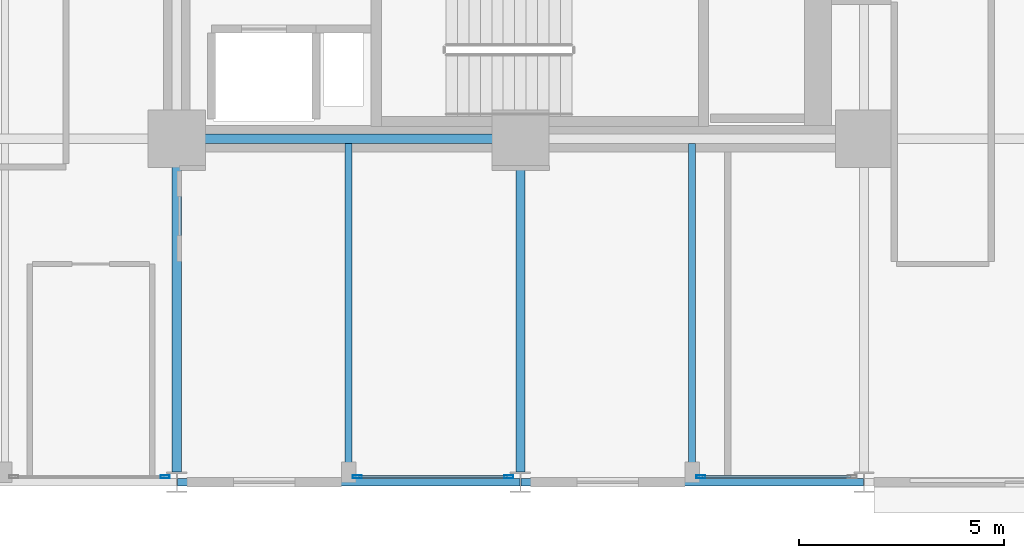
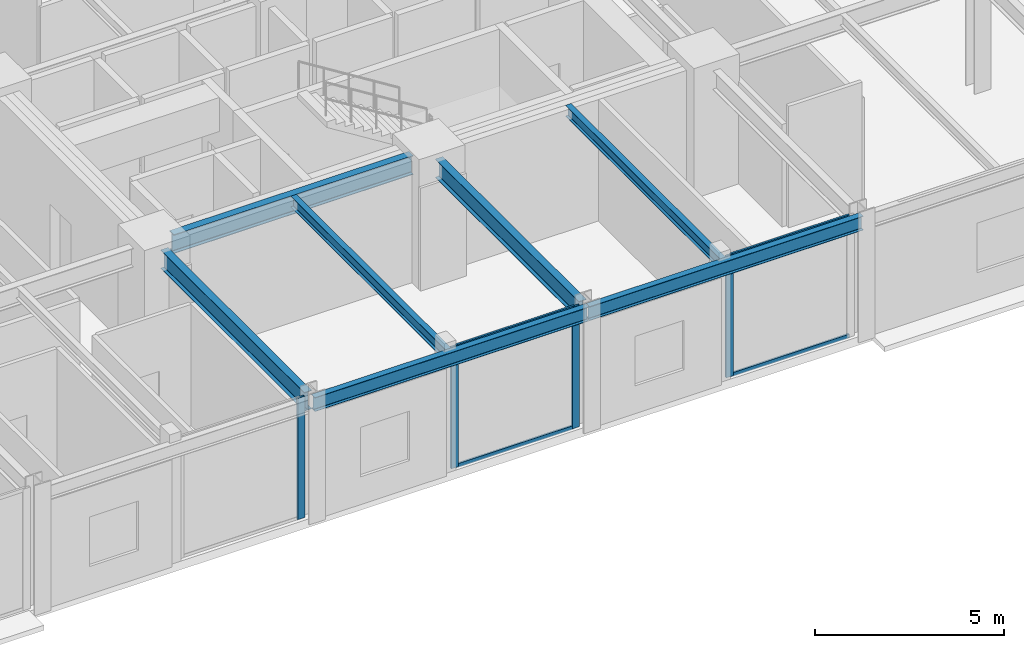
# One storey, part 4 of 25: 8 members, 7 beams, 3 elements without a shape of their own.
"""IFC4 building model written with IfcOpenShell, lengths in metres."""

from ifc_helpers import new_model, si_unit, direction, frame, origin, origin_2d, place, context, subcontext, project, spatial, hollow_rectangle, i_section, extrude, material, layer, layer_set, material_profile, profile_set, type_object, element, aggregate, save


model = new_model("IFC4")

# Units and contexts
model_context = context("Model", 3, precision=1e-05, world=origin(), true_north=direction((0.0, 1.0)))
body_context = subcontext(model_context, "Body", "Model", "MODEL_VIEW")
ifc_project = project(units=[si_unit("LENGTHUNIT", "METRE"), si_unit("AREAUNIT", "SQUARE_METRE"), si_unit("VOLUMEUNIT", "CUBIC_METRE"), si_unit("PLANEANGLEUNIT", "RADIAN"), si_unit("MASSUNIT", "GRAM", prefix="KILO")], contexts=[model_context])

# Site, building, storey
site_placement = place(None, origin())
site = spatial("IfcSite", under=ifc_project, at=site_placement, CompositionType="ELEMENT")
building_placement = place(site_placement, origin())
building = spatial("IfcBuilding", under=site, at=building_placement, Name="Nerrivon Quay Data Exchange", CompositionType="ELEMENT")
storey_placement = place(building_placement, frame((0.0, 0.0, 41.60009765625)))
storey = spatial("IfcBuildingStorey", under=building, at=storey_placement, Name="L09", CompositionType="ELEMENT", Elevation=41.60009765625)

# Beams
ifc_material_1 = material(Name="Steel Grade 350", Category="steel")
ifc_material_profile_1 = material_profile(ifc_material_1, i_section(OverallWidth=0.22900390625, OverallDepth=0.612060546875, WebThickness=0.011962890625, FlangeThickness=0.01953125, FilletRadius=0.013916015625, at=origin_2d()), Name="610UB125")
ifc_profile_set_1 = profile_set([ifc_material_profile_1], Name="Steel Grade 350")
beam_type_1 = type_object("IfcBeamType", Name="BM-G1-610UB125", PredefinedType="BEAM", material=ifc_profile_set_1)
beam_1_placement = place(storey_placement, frame((17.340087890625, 8.39990234375, 3.618896484375), z_axis=(1.0, 0.0, 0.0), x_axis=(0.0, 1.0, 0.0)))
element("IfcBeam", 1, at=beam_1_placement, inside=storey, type_object=beam_type_1, Name="L09 EW Girder Y=8.4 (16.8..25.2)", PredefinedType="BEAM", context=body_context, shape_type="SweptSolid", body=[
    extrude(i_section(OverallWidth=0.22900390625, OverallDepth=0.612060546875, WebThickness=0.011962890625, FlangeThickness=0.01953125, FilletRadius=0.013916015625, at=origin_2d()), origin(), (0.0, 0.0, 1.0), 7.31982421875),
])
ifc_material_profile_2 = material_profile(ifc_material_1, i_section(OverallWidth=0.22802734375, OverallDepth=0.60205078125, WebThickness=0.010498046875, FlangeThickness=0.014892578125, FilletRadius=0.013916015625, at=origin_2d()), Name="610UB101")
ifc_profile_set_2 = profile_set([ifc_material_profile_2], Name="Steel Grade 350")
beam_type_2 = type_object("IfcBeamType", Name="BM-G2-610UB101", PredefinedType="BEAM", material=ifc_profile_set_2)
for number, where, z_axis, x_axis, name in (
    (2, (16.800048828125, 0.25, 3.6240234375), (0.0, 1.0, 0.0), (-1.0, 0.0, 0.0), "L09 NS Girder X=16.8 (0.0..8.4)"),
    (3, (25.199951171875, 0.25, 3.6240234375), (0.0, 1.0, 0.0), (-1.0, 0.0, 0.0), "L09 NS Girder X=25.2 (0.0..8.4)"),
):
    element("IfcBeam", number, at=place(storey_placement, frame(where, z_axis=z_axis, x_axis=x_axis)), inside=storey, type_object=beam_type_2, Name=name, PredefinedType="BEAM", context=body_context, shape_type="SweptSolid", body=[
        extrude(i_section(OverallWidth=0.22802734375, OverallDepth=0.60205078125, WebThickness=0.010498046875, FlangeThickness=0.014892578125, FilletRadius=0.013916015625, at=origin_2d()), origin(), (0.0, 0.0, 1.0), 7.610107421875),
    ])
ifc_material_profile_3 = material_profile(ifc_material_1, i_section(OverallWidth=0.172119140625, OverallDepth=0.35888671875, WebThickness=0.008056640625, FlangeThickness=0.012939453125, FilletRadius=0.011474609375, at=origin_2d()), Name="360UB56.7")
ifc_profile_set_3 = profile_set([ifc_material_profile_3], Name="Steel Grade 350")
beam_type_3 = type_object("IfcBeamType", Name="BM-J3-360UB57", PredefinedType="JOIST", material=ifc_profile_set_3)
for number, where, z_axis, x_axis, name in (
    (4, (21.0, 0.094970703125, 3.745361328125), (0.0, 1.0, 0.0), (-1.0, 0.0, 0.0), "L09 Secondary Joist X=21.0 (0.0..8.4)"),
    (5, (29.39990234375, 0.094970703125, 3.745361328125), (0.0, 1.0, 0.0), (-1.0, 0.0, 0.0), "L09 Secondary Joist X=29.4 (0.0..8.4)"),
):
    element("IfcBeam", number, at=place(storey_placement, frame(where, z_axis=z_axis, x_axis=x_axis)), inside=storey, type_object=beam_type_3, Name=name, PredefinedType="JOIST", context=body_context, shape_type="SweptSolid", body=[
        extrude(i_section(OverallWidth=0.172119140625, OverallDepth=0.35888671875, WebThickness=0.008056640625, FlangeThickness=0.012939453125, FilletRadius=0.011474609375, at=origin_2d()), origin(), (0.0, 0.0, 1.0), 8.1904296875),
    ])
ifc_material_profile_4 = material_profile(ifc_material_1, i_section(OverallWidth=0.18994140625, OverallDepth=0.4541015625, WebThickness=0.008544921875, FlangeThickness=0.0126953125, FilletRadius=0.011474609375, at=origin_2d()), Name="460UB67.1")
ifc_profile_set_4 = profile_set([ifc_material_profile_4], Name="Steel Grade 350")
beam_type_4 = type_object("IfcBeamType", Name="BM-SP1-460UB67", PredefinedType="SPANDREL", material=ifc_profile_set_4)
beam_2_placement = place(storey_placement, frame((16.81396484375, 0.0, 3.697998046875), z_axis=(1.0, 0.0, 0.0), x_axis=(0.0, 1.0, 0.0)))
element("IfcBeam", 6, at=beam_2_placement, inside=storey, type_object=beam_type_4, Name="L09 EW Girder Y=0.0 (16.8..25.2)", PredefinedType="SPANDREL", context=body_context, shape_type="SweptSolid", body=[
    extrude(i_section(OverallWidth=0.18994140625, OverallDepth=0.4541015625, WebThickness=0.008544921875, FlangeThickness=0.0126953125, FilletRadius=0.011474609375, at=origin_2d()), origin(), (0.0, 0.0, 1.0), 8.3720703125),
])
beam_3_placement = place(storey_placement, frame((25.214111328125, 0.0, 3.697998046875), z_axis=(1.0, 0.0, 0.0), x_axis=(0.0, 1.0, 0.0)))
element("IfcBeam", 7, at=beam_3_placement, inside=storey, type_object=beam_type_4, Name="L09 EW Girder Y=0.0 (25.2..33.6)", PredefinedType="SPANDREL", context=body_context, shape_type="SweptSolid", body=[
    extrude(i_section(OverallWidth=0.18994140625, OverallDepth=0.4541015625, WebThickness=0.008544921875, FlangeThickness=0.0126953125, FilletRadius=0.011474609375, at=origin_2d()), origin(), (0.0, 0.0, 1.0), 8.371826171875),
])

# Curtain wall, member
ifc_material_2 = material(Name="Anodised aluminium 6063-T6", Category="aluminium")
ifc_layer = layer(ifc_material_2, 0.219970703125)
ifc_layer_set = layer_set([ifc_layer], Name="Anodised aluminium 6063-T6")
curtain_wall_type = type_object("IfcCurtainWallType", Name="CW-SYS-01", PredefinedType="NOTDEFINED", material=ifc_layer_set)
curtain_wall_1_placement = place(storey_placement, origin())
curtain_wall_1 = element("IfcCurtainWall", 8, at=curtain_wall_1_placement, inside=storey, type_object=curtain_wall_type, Name="L09 Unitised Curtain Wall 4", PredefinedType="NOTDEFINED")
ifc_material_profile_5 = material_profile(ifc_material_2, hollow_rectangle(XDim=0.074951171875, YDim=0.219970703125, WallThickness=0.00390625, at=origin_2d()), Name="ALU-MULL-220x75")
ifc_profile_set_5 = profile_set([ifc_material_profile_5], Name="Anodised aluminium 6063-T6")
member_type_1 = type_object("IfcMemberType", Name="CWM-220x75", PredefinedType="MULLION", material=ifc_profile_set_5)
member_1_placement = place(storey_placement, frame((29.612548828125, 0.139892578125, 0.0), z_axis=(0.0, 0.0, 1.0), x_axis=(0.0, -1.0, 0.0)))
member_1 = element("IfcMember", 9, at=member_1_placement, type_object=member_type_1, Name="CW01 mullion 2", PredefinedType="MULLION", context=body_context, shape_type="SweptSolid", body=[
    extrude(hollow_rectangle(XDim=0.074951171875, YDim=0.219970703125, WallThickness=0.00390625, at=origin_2d()), origin(), (0.0, 0.0, 1.0), 3.9248046875),
])

# Curtain wall, members
curtain_wall_2_placement = place(storey_placement, origin())
curtain_wall_2 = element("IfcCurtainWall", 10, at=curtain_wall_2_placement, inside=storey, type_object=curtain_wall_type, Name="L09 Unitised Curtain Wall 6", PredefinedType="NOTDEFINED")
member_2_placement = place(storey_placement, frame((24.91259765625, 0.139892578125, 0.0), z_axis=(0.0, 0.0, 1.0), x_axis=(0.0, -1.0, 0.0)))
member_2 = element("IfcMember", 11, at=member_2_placement, type_object=member_type_1, Name="CW01 mullion 1", PredefinedType="MULLION", context=body_context, shape_type="SweptSolid", body=[
    extrude(hollow_rectangle(XDim=0.074951171875, YDim=0.219970703125, WallThickness=0.00390625, at=origin_2d()), origin(), (0.0, 0.0, 1.0), 3.9248046875),
])
member_3_placement = place(storey_placement, frame((21.21240234375, 0.139892578125, 0.0), z_axis=(0.0, 0.0, 1.0), x_axis=(0.0, -1.0, 0.0)))
member_3 = element("IfcMember", 12, at=member_3_placement, type_object=member_type_1, Name="CW01 mullion 2", PredefinedType="MULLION", context=body_context, shape_type="SweptSolid", body=[
    extrude(hollow_rectangle(XDim=0.074951171875, YDim=0.219970703125, WallThickness=0.00390625, at=origin_2d()), origin(), (0.0, 0.0, 1.0), 3.9248046875),
])

# Curtain wall, member
curtain_wall_3_placement = place(storey_placement, origin())
curtain_wall_3 = element("IfcCurtainWall", 13, at=curtain_wall_3_placement, inside=storey, type_object=curtain_wall_type, Name="L09 Unitised Curtain Wall 8", PredefinedType="NOTDEFINED")
member_4_placement = place(storey_placement, frame((16.512451171875, 0.139892578125, 0.0), z_axis=(0.0, 0.0, 1.0), x_axis=(0.0, -1.0, 0.0)))
member_4 = element("IfcMember", 14, at=member_4_placement, type_object=member_type_1, Name="CW01 mullion 1", PredefinedType="MULLION", context=body_context, shape_type="SweptSolid", body=[
    extrude(hollow_rectangle(XDim=0.074951171875, YDim=0.219970703125, WallThickness=0.00390625, at=origin_2d()), origin(), (0.0, 0.0, 1.0), 3.9248046875),
])
aggregate(curtain_wall_3, [member_4])

# Member
ifc_material_profile_6 = material_profile(ifc_material_2, hollow_rectangle(XDim=0.06005859375, YDim=0.1201171875, WallThickness=0.003173828125, at=origin_2d()), Name="ALU-TRAN-120x60")
ifc_profile_set_6 = profile_set([ifc_material_profile_6], Name="Anodised aluminium 6063-T6")
member_type_2 = type_object("IfcMemberType", Name="CWT-120x60", PredefinedType="USERDEFINED", material=ifc_profile_set_6)
member_5_placement = place(storey_placement, frame((33.27490234375, 0.139892578125, 0.032470703125), z_axis=(-1.0, 0.0, 0.0), x_axis=(0.0, -1.0, 0.0)))
member_5 = element("IfcMember", 15, at=member_5_placement, type_object=member_type_2, Name="CW01 transom 1.1", ObjectType="TRANSOM", PredefinedType="USERDEFINED", context=body_context, shape_type="SweptSolid", body=[
    extrude(hollow_rectangle(XDim=0.06005859375, YDim=0.1201171875, WallThickness=0.003173828125, at=origin_2d()), origin(), (0.0, 0.0, 1.0), 3.625),
])

member_6_placement = place(storey_placement, frame((33.27490234375, 0.139892578125, 3.892333984375), z_axis=(-1.0, 0.0, 0.0), x_axis=(0.0, -1.0, 0.0)))
member_6 = element("IfcMember", 16, at=member_6_placement, type_object=member_type_2, Name="CW01 transom 1.2", ObjectType="TRANSOM", PredefinedType="USERDEFINED", context=body_context, shape_type="SweptSolid", body=[
    extrude(hollow_rectangle(XDim=0.06005859375, YDim=0.1201171875, WallThickness=0.003173828125, at=origin_2d()), origin(), (0.0, 0.0, 1.0), 3.625),
])

aggregate(curtain_wall_1, [member_1, member_5, member_6])

member_7_placement = place(storey_placement, frame((24.875, 0.139892578125, 0.032470703125), z_axis=(-1.0, 0.0, 0.0), x_axis=(0.0, -1.0, 0.0)))
member_7 = element("IfcMember", 17, at=member_7_placement, type_object=member_type_2, Name="CW01 transom 1.1", ObjectType="TRANSOM", PredefinedType="USERDEFINED", context=body_context, shape_type="SweptSolid", body=[
    extrude(hollow_rectangle(XDim=0.06005859375, YDim=0.1201171875, WallThickness=0.003173828125, at=origin_2d()), origin(), (0.0, 0.0, 1.0), 3.625),
])

member_8_placement = place(storey_placement, frame((24.875, 0.139892578125, 3.892333984375), z_axis=(-1.0, 0.0, 0.0), x_axis=(0.0, -1.0, 0.0)))
member_8 = element("IfcMember", 18, at=member_8_placement, type_object=member_type_2, Name="CW01 transom 1.2", ObjectType="TRANSOM", PredefinedType="USERDEFINED", context=body_context, shape_type="SweptSolid", body=[
    extrude(hollow_rectangle(XDim=0.06005859375, YDim=0.1201171875, WallThickness=0.003173828125, at=origin_2d()), origin(), (0.0, 0.0, 1.0), 3.625),
])

aggregate(curtain_wall_2, [member_2, member_3, member_7, member_8])

save(model, "model.ifc")
